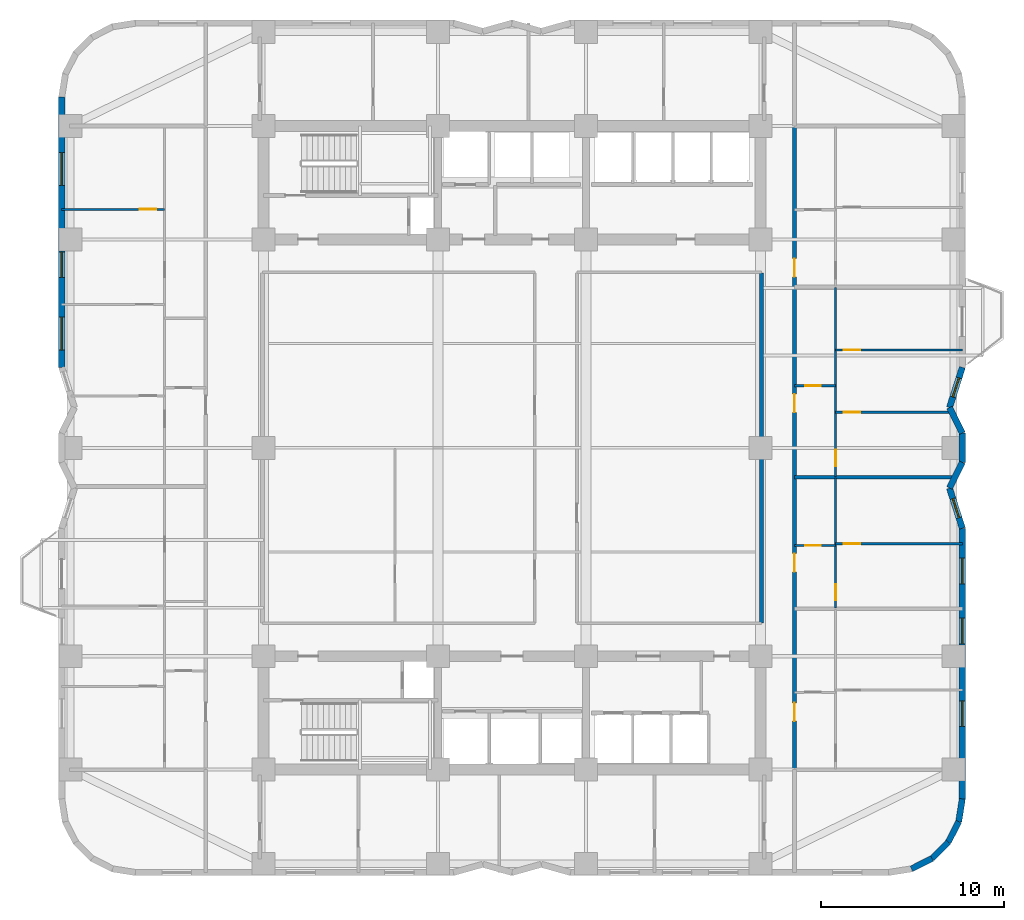
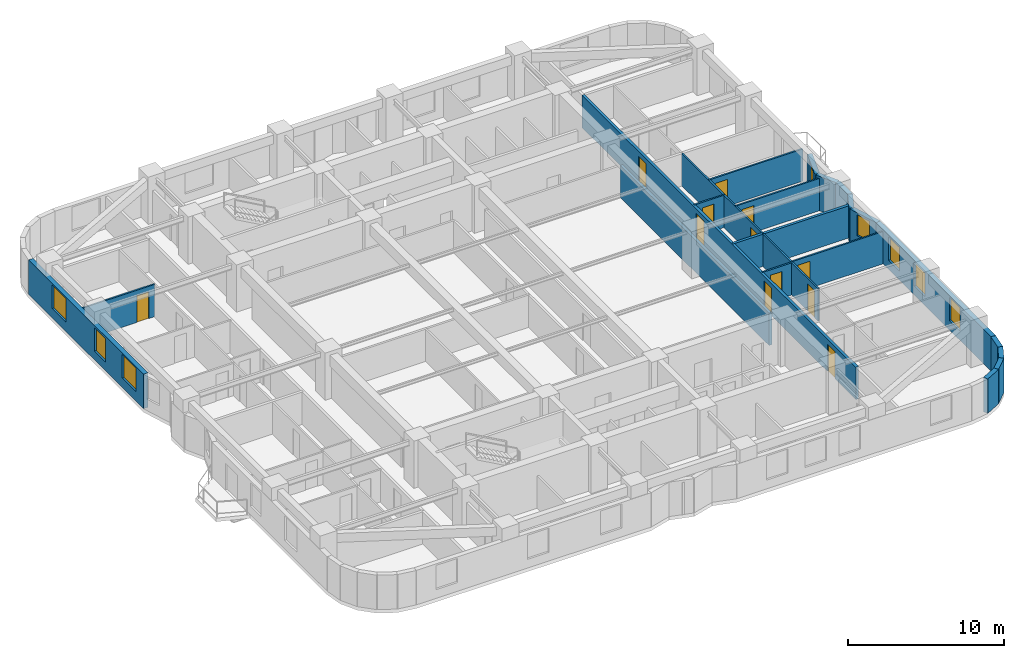
# One storey, part 5 of 9: 22 walls, 12 doors, 8 windows, 20 openings.
"""IFC4 building model written with IfcOpenShell, lengths in metres."""

from ifc_helpers import new_model, si_unit, direction, frame, frame_2d, origin, place, context, subcontext, project, spatial, rectangle, extrude, material, layer, layer_set, type_object, element, fill, save


model = new_model("IFC4")

# Units and contexts
model_context = context("Model", 3, precision=1e-05, world=origin(), true_north=direction((0.0, 1.0)))
body_context = subcontext(model_context, "Body", "Model", "MODEL_VIEW")
ifc_project = project(units=[si_unit("LENGTHUNIT", "METRE"), si_unit("AREAUNIT", "SQUARE_METRE"), si_unit("VOLUMEUNIT", "CUBIC_METRE"), si_unit("PLANEANGLEUNIT", "RADIAN"), si_unit("MASSUNIT", "GRAM", prefix="KILO")], contexts=[model_context])

# Site, building, storey
site_placement = place(None, origin())
site = spatial("IfcSite", under=ifc_project, at=site_placement, CompositionType="ELEMENT")
building_placement = place(site_placement, origin())
building = spatial("IfcBuilding", under=site, at=building_placement, Name="Svetorya Sky Lyceum", CompositionType="ELEMENT")
storey_placement = place(building_placement, frame((0.0, 0.0, 65.800048828125)))
storey = spatial("IfcBuildingStorey", under=building, at=storey_placement, Name="L16", CompositionType="ELEMENT", Elevation=65.800048828125)

# Walls
ifc_material_1 = material(Name="Putilovo limestone rainscreen on autoclaved cellular masonry", Category="masonry")
ifc_layer_1 = layer(ifc_material_1, 0.340087890625)
ifc_layer_set_1 = layer_set([ifc_layer_1], Name="Putilovo limestone rainscreen on autoclaved cellular masonry")
wall_type_1 = type_object("IfcWallType", Name="WL-EXT-340", PredefinedType="SOLIDWALL", material=ifc_layer_set_1)
for number, where, z_axis, x_axis, name in (
    (1, (61.04541015625, 5.167236328125, 0.0), (0.0, 0.0, 1.0), (0.890953769915, 0.454094020963, 0.0), "L16 Limestone Exterior Wall 13M"),
    (2, (62.168701171875, 5.73974609375, 0.0), (0.0, 0.0, 1.0), (0.707203598708, 0.707009950407, 0.0), "L16 Limestone Exterior Wall 14M"),
):
    element("IfcWall", number, at=place(storey_placement, frame(where, z_axis=z_axis, x_axis=x_axis)), inside=storey, type_object=wall_type_1, Name=name, PredefinedType="SOLIDWALL", context=body_context, shape_type="SweptSolid", body=[
        extrude(rectangle(XDim=1.2607421875, YDim=0.340087890625, at=frame_2d((0.63037109375, 0.0))), origin(), (0.0, 0.0, 1.0), 2.699951171875),
    ])
for number, where, z_axis, x_axis, name in (
    (3, (63.060302734375, 6.631103515625, 0.0), (0.0, 0.0, 1.0), (0.454015689056, 0.890993689142, 0.0), "L16 Limestone Exterior Wall 15M"),
    (4, (63.6328125, 7.754638671875, 0.0), (0.0, 0.0, 1.0), (0.15644975923, 0.987685918112, 0.0), "L16 Limestone Exterior Wall 16M"),
):
    element("IfcWall", number, at=place(storey_placement, frame(where, z_axis=z_axis, x_axis=x_axis)), inside=storey, type_object=wall_type_1, Name=name, PredefinedType="SOLIDWALL", context=body_context, shape_type="SweptSolid", body=[
        extrude(rectangle(XDim=1.260986328125, YDim=0.340087890625, at=frame_2d((0.63037109375, 0.0))), origin(), (0.0, 0.0, 1.0), 2.699951171875),
    ])

# Wall, openings, windows
wall_1_placement = place(storey_placement, frame((63.830078125, 9.0, 0.0), z_axis=(0.0, 0.0, 1.0), x_axis=(0.0, 1.0, 0.0)))
wall_1 = element("IfcWall", 5, at=wall_1_placement, inside=storey, type_object=wall_type_1, Name="L16 Limestone Exterior Wall 17M", PredefinedType="SOLIDWALL", context=body_context, shape_type="SweptSolid", body=[
    extrude(rectangle(XDim=14.800048828125, YDim=0.340087890625, at=frame_2d((7.39990234375, 0.0))), origin(), (0.0, 0.0, 1.0), 2.699951171875),
])
opening_1_placement = place(wall_1_placement, frame((3.96240234375, 0.0, 0.72998046875)))
opening_1 = element("IfcOpeningElement", 6, at=opening_1_placement, cuts=wall_1, Name="Opening W-R2", PredefinedType="OPENING", context=body_context, shape_type="SweptSolid", body=[
    extrude(rectangle(XDim=1.39990234375, YDim=1.85009765625, at=frame_2d((0.699951171875, 0.925048828125))), frame((0.0, 0.179931640625, 0.0), z_axis=(0.0, -1.0, 0.0), x_axis=(1.0, 0.0, 0.0)), (0.0, 0.0, 1.0), 0.360107421875),
])
opening_2_placement = place(wall_1_placement, frame((8.47998046875, 0.0, 0.68994140625)))
opening_2 = element("IfcOpeningElement", 7, at=opening_2_placement, cuts=wall_1, Name="Opening W-R2", PredefinedType="OPENING", context=body_context, shape_type="SweptSolid", body=[
    extrude(rectangle(XDim=1.39990234375, YDim=1.85009765625, at=frame_2d((0.699951171875, 0.925048828125))), frame((0.0, 0.179931640625, 0.0), z_axis=(0.0, -1.0, 0.0), x_axis=(1.0, 0.0, 0.0)), (0.0, 0.0, 1.0), 0.360107421875),
])
opening_3_placement = place(wall_1_placement, frame((11.762451171875, 0.0, 0.72998046875)))
opening_3 = element("IfcOpeningElement", 8, at=opening_3_placement, cuts=wall_1, Name="Opening W-R2", PredefinedType="OPENING", context=body_context, shape_type="SweptSolid", body=[
    extrude(rectangle(XDim=1.39990234375, YDim=1.85009765625, at=frame_2d((0.699951171875, 0.925048828125))), frame((0.0, 0.179931640625, 0.0), z_axis=(0.0, -1.0, 0.0), x_axis=(1.0, 0.0, 0.0)), (0.0, 0.0, 1.0), 0.360107421875),
])
ifc_material_2 = material(Name="Thermally broken aluminium frame with triple low-E glazing", Category="aluminium")
window_type_1 = type_object("IfcWindowType", Name="WN-RES-140", PartitioningType="SINGLE_PANEL", PredefinedType="WINDOW", material=ifc_material_2)
window_1_placement = place(opening_1_placement, origin())
window_1 = element("IfcWindow", 9, at=window_1_placement, inside=storey, type_object=window_type_1, Name="L16 Facade Window W-R2.17M.1", OverallHeight=1.85009765625, OverallWidth=1.39990234375, PartitioningType="SINGLE_PANEL", PredefinedType="WINDOW", context=body_context, shape_type="SweptSolid", body=[
    extrude(rectangle(XDim=1.39990234375, YDim=1.85009765625, at=frame_2d((0.699951171875, 0.925048828125))), frame((0.0, 0.030029296875, 0.0), z_axis=(0.0, -1.0, 0.0), x_axis=(1.0, 0.0, 0.0)), (0.0, 0.0, 1.0), 0.06005859375),
])
fill(opening_1, window_1)
window_2_placement = place(opening_2_placement, origin())
window_2 = element("IfcWindow", 10, at=window_2_placement, inside=storey, type_object=window_type_1, Name="L16 Facade Window W-R2.17M.3", OverallHeight=1.85009765625, OverallWidth=1.39990234375, PartitioningType="SINGLE_PANEL", PredefinedType="WINDOW", context=body_context, shape_type="SweptSolid", body=[
    extrude(rectangle(XDim=1.39990234375, YDim=1.85009765625, at=frame_2d((0.699951171875, 0.925048828125))), frame((0.0, 0.030029296875, 0.0), z_axis=(0.0, -1.0, 0.0), x_axis=(1.0, 0.0, 0.0)), (0.0, 0.0, 1.0), 0.06005859375),
])
fill(opening_2, window_2)
window_3_placement = place(opening_3_placement, origin())
window_3 = element("IfcWindow", 11, at=window_3_placement, inside=storey, type_object=window_type_1, Name="L16 Facade Window W-R2.17M.2", OverallHeight=1.85009765625, OverallWidth=1.39990234375, PartitioningType="SINGLE_PANEL", PredefinedType="WINDOW", context=body_context, shape_type="SweptSolid", body=[
    extrude(rectangle(XDim=1.39990234375, YDim=1.85009765625, at=frame_2d((0.699951171875, 0.925048828125))), frame((0.0, 0.030029296875, 0.0), z_axis=(0.0, -1.0, 0.0), x_axis=(1.0, 0.0, 0.0)), (0.0, 0.0, 1.0), 0.06005859375),
])
fill(opening_3, window_3)

# Wall, opening, window
wall_2_placement = place(storey_placement, frame((63.830078125, 23.800048828125, 0.0), z_axis=(0.0, 0.0, 1.0), x_axis=(-0.303286588318, 0.95289938889, 0.0)))
wall_2 = element("IfcWall", 12, at=wall_2_placement, inside=storey, type_object=wall_type_1, Name="L16 Limestone Exterior Wall 18M", PredefinedType="SOLIDWALL", context=body_context, shape_type="SweptSolid", body=[
    extrude(rectangle(XDim=2.30859375, YDim=0.340087890625, at=frame_2d((1.154296875, 0.0))), origin(), (0.0, 0.0, 1.0), 2.699951171875),
])
opening_4_placement = place(wall_2_placement, frame((0.604248046875, 0.0, 0.889892578125)))
opening_4 = element("IfcOpeningElement", 13, at=opening_4_placement, cuts=wall_2, Name="Opening W-R3", PredefinedType="OPENING", context=body_context, shape_type="SweptSolid", body=[
    extrude(rectangle(XDim=1.10009765625, YDim=1.64990234375, at=frame_2d((0.550048828125, 0.824951171875))), frame((0.0, 0.179931640625, 0.0), z_axis=(0.0, -1.0, 0.0), x_axis=(1.0, 0.0, 0.0)), (0.0, 0.0, 1.0), 0.360107421875),
])
window_type_2 = type_object("IfcWindowType", Name="WN-RES-110", PartitioningType="SINGLE_PANEL", PredefinedType="WINDOW", material=ifc_material_2)
window_4_placement = place(opening_4_placement, origin())
window_4 = element("IfcWindow", 14, at=window_4_placement, inside=storey, type_object=window_type_2, Name="L16 Facade Window W-R3.18M.1", OverallHeight=1.64990234375, OverallWidth=1.10009765625, PartitioningType="SINGLE_PANEL", PredefinedType="WINDOW", context=body_context, shape_type="SweptSolid", body=[
    extrude(rectangle(XDim=1.10009765625, YDim=1.64990234375, at=frame_2d((0.550048828125, 0.824951171875))), frame((0.0, 0.030029296875, 0.0), z_axis=(0.0, -1.0, 0.0), x_axis=(1.0, 0.0, 0.0)), (0.0, 0.0, 1.0), 0.06005859375),
])
fill(opening_4, window_4)

# Walls
wall_3_placement = place(storey_placement, frame((63.1298828125, 26.0, 0.0), z_axis=(0.0, 0.0, 1.0), x_axis=(0.447338371726, 0.894364792007, 0.0)))
element("IfcWall", 15, at=wall_3_placement, inside=storey, type_object=wall_type_1, Name="L16 Limestone Exterior Wall 19M", PredefinedType="SOLIDWALL", context=body_context, shape_type="SweptSolid", body=[
    extrude(rectangle(XDim=1.565185546875, YDim=0.340087890625, at=frame_2d((0.78271484375, 0.0))), origin(), (0.0, 0.0, 1.0), 2.699951171875),
])
wall_4_placement = place(storey_placement, frame((63.830078125, 27.39990234375, 0.0), z_axis=(0.0, 0.0, 1.0), x_axis=(0.0, 1.0, 0.0)))
element("IfcWall", 16, at=wall_4_placement, inside=storey, type_object=wall_type_1, Name="L16 Limestone Exterior Wall 20M", PredefinedType="SOLIDWALL", context=body_context, shape_type="SweptSolid", body=[
    extrude(rectangle(XDim=1.60009765625, YDim=0.340087890625, at=frame_2d((0.800048828125, 0.0))), origin(), (0.0, 0.0, 1.0), 2.699951171875),
])
wall_5_placement = place(storey_placement, frame((63.830078125, 29.0, 0.0), z_axis=(0.0, 0.0, 1.0), x_axis=(-0.447338371726, 0.894364792007, 0.0)))
element("IfcWall", 17, at=wall_5_placement, inside=storey, type_object=wall_type_1, Name="L16 Limestone Exterior Wall 21M", PredefinedType="SOLIDWALL", context=body_context, shape_type="SweptSolid", body=[
    extrude(rectangle(XDim=1.565185546875, YDim=0.340087890625, at=frame_2d((0.78271484375, 0.0))), origin(), (0.0, 0.0, 1.0), 2.699951171875),
])

# Wall, opening, window
wall_6_placement = place(storey_placement, frame((63.1298828125, 30.39990234375, 0.0), z_axis=(0.0, 0.0, 1.0), x_axis=(0.303256029766, 0.952909114454, 0.0)))
wall_6 = element("IfcWall", 18, at=wall_6_placement, inside=storey, type_object=wall_type_1, Name="L16 Limestone Exterior Wall 22M", PredefinedType="SOLIDWALL", context=body_context, shape_type="SweptSolid", body=[
    extrude(rectangle(XDim=2.308837890625, YDim=0.340087890625, at=frame_2d((1.154296875, 0.0))), origin(), (0.0, 0.0, 1.0), 2.699951171875),
])
opening_5_placement = place(wall_6_placement, frame((0.604248046875, 0.0, 0.889892578125)))
opening_5 = element("IfcOpeningElement", 19, at=opening_5_placement, cuts=wall_6, Name="Opening W-R3", PredefinedType="OPENING", context=body_context, shape_type="SweptSolid", body=[
    extrude(rectangle(XDim=1.10009765625, YDim=1.64990234375, at=frame_2d((0.550048828125, 0.824951171875))), frame((0.0, 0.179931640625, 0.0), z_axis=(0.0, -1.0, 0.0), x_axis=(1.0, 0.0, 0.0)), (0.0, 0.0, 1.0), 0.360107421875),
])
window_5_placement = place(opening_5_placement, origin())
window_5 = element("IfcWindow", 20, at=window_5_placement, inside=storey, type_object=window_type_2, Name="L16 Facade Window W-R3.22M.1", OverallHeight=1.64990234375, OverallWidth=1.10009765625, PartitioningType="SINGLE_PANEL", PredefinedType="WINDOW", context=body_context, shape_type="SweptSolid", body=[
    extrude(rectangle(XDim=1.10009765625, YDim=1.64990234375, at=frame_2d((0.550048828125, 0.824951171875))), frame((0.0, 0.030029296875, 0.0), z_axis=(0.0, -1.0, 0.0), x_axis=(1.0, 0.0, 0.0)), (0.0, 0.0, 1.0), 0.06005859375),
])
fill(opening_5, window_5)

# Wall, openings, windows
wall_7_placement = place(storey_placement, frame((14.570068359375, 47.39990234375, 0.0), z_axis=(0.0, 0.0, 1.0), x_axis=(0.0, -1.0, 0.0)))
wall_7 = element("IfcWall", 21, at=wall_7_placement, inside=storey, type_object=wall_type_1, Name="L16 Limestone Exterior Wall 40M", PredefinedType="SOLIDWALL", context=body_context, shape_type="SweptSolid", body=[
    extrude(rectangle(XDim=14.7998046875, YDim=0.340087890625, at=frame_2d((7.39990234375, 0.0))), origin(), (0.0, 0.0, 1.0), 2.699951171875),
])
opening_6_placement = place(wall_7_placement, frame((3.050048828125, 0.0, 0.72998046875)))
opening_6 = element("IfcOpeningElement", 22, at=opening_6_placement, cuts=wall_7, Name="Opening W-R1", PredefinedType="OPENING", context=body_context, shape_type="SweptSolid", body=[
    extrude(rectangle(XDim=1.800048828125, YDim=1.85009765625, at=frame_2d((0.89990234375, 0.925048828125))), frame((0.0, 0.179931640625, 0.0), z_axis=(0.0, -1.0, 0.0), x_axis=(1.0, 0.0, 0.0)), (0.0, 0.0, 1.0), 0.360107421875),
])
opening_7_placement = place(wall_7_placement, frame((8.47998046875, 0.0, 0.68994140625)))
opening_7 = element("IfcOpeningElement", 23, at=opening_7_placement, cuts=wall_7, Name="Opening W-R2", PredefinedType="OPENING", context=body_context, shape_type="SweptSolid", body=[
    extrude(rectangle(XDim=1.39990234375, YDim=1.85009765625, at=frame_2d((0.699951171875, 0.925048828125))), frame((0.0, 0.179931640625, 0.0), z_axis=(0.0, -1.0, 0.0), x_axis=(1.0, 0.0, 0.0)), (0.0, 0.0, 1.0), 0.360107421875),
])
opening_8_placement = place(wall_7_placement, frame((12.050048828125, 0.0, 0.72998046875)))
opening_8 = element("IfcOpeningElement", 24, at=opening_8_placement, cuts=wall_7, Name="Opening W-R1", PredefinedType="OPENING", context=body_context, shape_type="SweptSolid", body=[
    extrude(rectangle(XDim=1.800048828125, YDim=1.85009765625, at=frame_2d((0.89990234375, 0.925048828125))), frame((0.0, 0.179931640625, 0.0), z_axis=(0.0, -1.0, 0.0), x_axis=(1.0, 0.0, 0.0)), (0.0, 0.0, 1.0), 0.360107421875),
])
window_6_placement = place(opening_7_placement, origin())
window_6 = element("IfcWindow", 25, at=window_6_placement, inside=storey, type_object=window_type_1, Name="L16 Facade Window W-R2.40M.3", OverallHeight=1.85009765625, OverallWidth=1.39990234375, PartitioningType="SINGLE_PANEL", PredefinedType="WINDOW", context=body_context, shape_type="SweptSolid", body=[
    extrude(rectangle(XDim=1.39990234375, YDim=1.85009765625, at=frame_2d((0.699951171875, 0.925048828125))), frame((0.0, 0.030029296875, 0.0), z_axis=(0.0, -1.0, 0.0), x_axis=(1.0, 0.0, 0.0)), (0.0, 0.0, 1.0), 0.06005859375),
])
fill(opening_7, window_6)
window_type_3 = type_object("IfcWindowType", Name="WN-RES-180", PartitioningType="DOUBLE_PANEL_VERTICAL", PredefinedType="WINDOW", material=ifc_material_2)
window_7_placement = place(opening_6_placement, origin())
window_7 = element("IfcWindow", 26, at=window_7_placement, inside=storey, type_object=window_type_3, Name="L16 Facade Window W-R1.40M.1", OverallHeight=1.85009765625, OverallWidth=1.800048828125, PartitioningType="SINGLE_PANEL", PredefinedType="WINDOW", context=body_context, shape_type="SweptSolid", body=[
    extrude(rectangle(XDim=1.800048828125, YDim=1.85009765625, at=frame_2d((0.89990234375, 0.925048828125))), frame((0.0, 0.030029296875, 0.0), z_axis=(0.0, -1.0, 0.0), x_axis=(1.0, 0.0, 0.0)), (0.0, 0.0, 1.0), 0.06005859375),
])
fill(opening_6, window_7)
window_8_placement = place(opening_8_placement, origin())
window_8 = element("IfcWindow", 27, at=window_8_placement, inside=storey, type_object=window_type_3, Name="L16 Facade Window W-R1.40M.2", OverallHeight=1.85009765625, OverallWidth=1.800048828125, PartitioningType="SINGLE_PANEL", PredefinedType="WINDOW", context=body_context, shape_type="SweptSolid", body=[
    extrude(rectangle(XDim=1.800048828125, YDim=1.85009765625, at=frame_2d((0.89990234375, 0.925048828125))), frame((0.0, 0.030029296875, 0.0), z_axis=(0.0, -1.0, 0.0), x_axis=(1.0, 0.0, 0.0)), (0.0, 0.0, 1.0), 0.06005859375),
])
fill(opening_8, window_8)

# Wall, opening, door
ifc_material_3 = material(Name="Twin-stud galvanized framing with double fireboard", Category="gypsum")
ifc_layer_2 = layer(ifc_material_3, 0.1201171875)
ifc_layer_set_2 = layer_set([ifc_layer_2], Name="Twin-stud galvanized framing with double fireboard")
wall_type_2 = type_object("IfcWallType", Name="WL-PART-120", PredefinedType="PARTITIONING", material=ifc_layer_set_2)
wall_8_placement = place(storey_placement, frame((14.570068359375, 41.238037109375, 0.0), z_axis=(0.0, 0.0, 1.0), x_axis=(1.0, 0.0, 0.0)))
wall_8 = element("IfcWall", 28, at=wall_8_placement, inside=storey, type_object=wall_type_2, Name="L16 Interior Partition W2-WL3", PredefinedType="PARTITIONING", context=body_context, shape_type="SweptSolid", body=[
    extrude(rectangle(XDim=5.6298828125, YDim=0.1201171875, at=frame_2d((2.81494140625, 0.0))), origin(), (0.0, 0.0, 1.0), 2.530029296875),
])
opening_9_placement = place(wall_8_placement, frame((4.280029296875, 0.0, 0.0)))
opening_9 = element("IfcOpeningElement", 29, at=opening_9_placement, cuts=wall_8, Name="Opening D-RM1", PredefinedType="OPENING", context=body_context, shape_type="SweptSolid", body=[
    extrude(rectangle(XDim=0.89990234375, YDim=2.10009765625, at=frame_2d((0.449951171875, 1.050048828125))), frame((0.0, 0.070068359375, 0.0), z_axis=(0.0, -1.0, 0.0), x_axis=(1.0, 0.0, 0.0)), (0.0, 0.0, 1.0), 0.14013671875),
])
ifc_material_4 = material(Name="Lacquered birch veneer internal door")
door_type_1 = type_object("IfcDoorType", Name="DR-INT-900", OperationType="SINGLE_SWING_LEFT", PredefinedType="DOOR", material=ifc_material_4)
door_1_placement = place(opening_9_placement, origin())
door_1 = element("IfcDoor", 30, at=door_1_placement, inside=storey, type_object=door_type_1, Name="Apartment W2 Bedroom 3 Door", OperationType="SINGLE_SWING_RIGHT", OverallHeight=2.10009765625, OverallWidth=0.89990234375, PredefinedType="DOOR", context=body_context, shape_type="SweptSolid", body=[
    extrude(rectangle(XDim=0.89990234375, YDim=2.10009765625, at=frame_2d((0.449951171875, 1.050048828125))), frame((0.0, 0.02490234375, 0.0), z_axis=(0.0, -1.0, 0.0), x_axis=(1.0, 0.0, 0.0)), (0.0, 0.0, 1.0), 0.050048828125),
])
fill(opening_9, door_1)

wall_9_placement = place(storey_placement, frame((54.64990234375, 22.860107421875, 0.0), z_axis=(0.0, 0.0, 1.0), x_axis=(1.0, 0.0, 0.0)))
wall_9 = element("IfcWall", 31, at=wall_9_placement, inside=storey, type_object=wall_type_2, Name="L16 Interior Partition E2-WH1", PredefinedType="PARTITIONING", context=body_context, shape_type="SweptSolid", body=[
    extrude(rectangle(XDim=2.25, YDim=0.1201171875, at=frame_2d((1.125, 0.0))), origin(), (0.0, 0.0, 1.0), 2.530029296875),
])
opening_10_placement = place(wall_9_placement, frame((0.60009765625, 0.0, 0.0)))
opening_10 = element("IfcOpeningElement", 32, at=opening_10_placement, cuts=wall_9, Name="Opening D-BT1", PredefinedType="OPENING", context=body_context, shape_type="SweptSolid", body=[
    extrude(rectangle(XDim=0.85009765625, YDim=2.10009765625, at=frame_2d((0.425048828125, 1.050048828125))), frame((0.0, 0.070068359375, 0.0), z_axis=(0.0, -1.0, 0.0), x_axis=(1.0, 0.0, 0.0)), (0.0, 0.0, 1.0), 0.14013671875),
])
ifc_material_5 = material(Name="Moisture-resistant laminate bathroom door")
door_type_2 = type_object("IfcDoorType", Name="DR-WET-850", OperationType="SINGLE_SWING_LEFT", PredefinedType="DOOR", material=ifc_material_5)
door_2_placement = place(opening_10_placement, origin())
door_2 = element("IfcDoor", 33, at=door_2_placement, inside=storey, type_object=door_type_2, Name="Apartment E2 Bathroom Door", OperationType="SINGLE_SWING_LEFT", OverallHeight=2.10009765625, OverallWidth=0.85009765625, PredefinedType="DOOR", context=body_context, shape_type="SweptSolid", body=[
    extrude(rectangle(XDim=0.85009765625, YDim=2.10009765625, at=frame_2d((0.425048828125, 1.050048828125))), frame((0.0, 0.02490234375, 0.0), z_axis=(0.0, -1.0, 0.0), x_axis=(1.0, 0.0, 0.0)), (0.0, 0.0, 1.0), 0.050048828125),
])
fill(opening_10, door_2)

wall_10_placement = place(storey_placement, frame((56.89990234375, 22.949951171875, 0.0), z_axis=(0.0, 0.0, 1.0), x_axis=(1.0, 0.0, 0.0)))
wall_10 = element("IfcWall", 34, at=wall_10_placement, inside=storey, type_object=wall_type_2, Name="L16 Interior Partition E2-WL1", PredefinedType="PARTITIONING", context=body_context, shape_type="SweptSolid", body=[
    extrude(rectangle(XDim=6.93017578125, YDim=0.1201171875, at=frame_2d((3.465087890625, 0.0))), origin(), (0.0, 0.0, 1.0), 2.530029296875),
])
opening_11_placement = place(wall_10_placement, frame((0.449951171875, 0.0, 0.0)))
opening_11 = element("IfcOpeningElement", 35, at=opening_11_placement, cuts=wall_10, Name="Opening D-RM1", PredefinedType="OPENING", context=body_context, shape_type="SweptSolid", body=[
    extrude(rectangle(XDim=0.89990234375, YDim=2.10009765625, at=frame_2d((0.449951171875, 1.050048828125))), frame((0.0, 0.070068359375, 0.0), z_axis=(0.0, -1.0, 0.0), x_axis=(1.0, 0.0, 0.0)), (0.0, 0.0, 1.0), 0.14013671875),
])
door_3_placement = place(opening_11_placement, origin())
door_3 = element("IfcDoor", 36, at=door_3_placement, inside=storey, type_object=door_type_1, Name="Apartment E2 Bedroom 1 Door", OperationType="SINGLE_SWING_LEFT", OverallHeight=2.10009765625, OverallWidth=0.89990234375, PredefinedType="DOOR", context=body_context, shape_type="SweptSolid", body=[
    extrude(rectangle(XDim=0.89990234375, YDim=2.10009765625, at=frame_2d((0.449951171875, 1.050048828125))), frame((0.0, 0.02490234375, 0.0), z_axis=(0.0, -1.0, 0.0), x_axis=(1.0, 0.0, 0.0)), (0.0, 0.0, 1.0), 0.050048828125),
])
fill(opening_11, door_3)

wall_11_placement = place(storey_placement, frame((56.89990234375, 19.43994140625, 0.0), z_axis=(0.0, 0.0, 1.0), x_axis=(0.0, 1.0, 0.0)))
wall_11 = element("IfcWall", 37, at=wall_11_placement, inside=storey, type_object=wall_type_2, Name="L16 Interior Partition E2-WV", PredefinedType="PARTITIONING", context=body_context, shape_type="SweptSolid", body=[
    extrude(rectangle(XDim=7.1201171875, YDim=0.1201171875, at=frame_2d((3.56005859375, 0.0))), origin(), (0.0, 0.0, 1.0), 2.530029296875),
])
opening_12_placement = place(wall_11_placement, frame((0.409912109375, 0.0, 0.0)))
opening_12 = element("IfcOpeningElement", 38, at=opening_12_placement, cuts=wall_11, Name="Opening D-RM1", PredefinedType="OPENING", context=body_context, shape_type="SweptSolid", body=[
    extrude(rectangle(XDim=0.89990234375, YDim=2.10009765625, at=frame_2d((0.449951171875, 1.050048828125))), frame((0.0, 0.070068359375, 0.0), z_axis=(0.0, -1.0, 0.0), x_axis=(1.0, 0.0, 0.0)), (0.0, 0.0, 1.0), 0.14013671875),
])
door_4_placement = place(opening_12_placement, origin())
door_4 = element("IfcDoor", 39, at=door_4_placement, inside=storey, type_object=door_type_1, Name="Apartment E2 Living Door", OperationType="SINGLE_SWING_RIGHT", OverallHeight=2.10009765625, OverallWidth=0.89990234375, PredefinedType="DOOR", context=body_context, shape_type="SweptSolid", body=[
    extrude(rectangle(XDim=0.89990234375, YDim=2.10009765625, at=frame_2d((0.449951171875, 1.050048828125))), frame((0.0, 0.02490234375, 0.0), z_axis=(0.0, -1.0, 0.0), x_axis=(1.0, 0.0, 0.0)), (0.0, 0.0, 1.0), 0.050048828125),
])
fill(opening_12, door_4)

wall_12_placement = place(storey_placement, frame((54.64990234375, 31.590087890625, 0.0), z_axis=(0.0, 0.0, 1.0), x_axis=(1.0, 0.0, 0.0)))
wall_12 = element("IfcWall", 40, at=wall_12_placement, inside=storey, type_object=wall_type_2, Name="L16 Interior Partition E3-WH1", PredefinedType="PARTITIONING", context=body_context, shape_type="SweptSolid", body=[
    extrude(rectangle(XDim=2.25, YDim=0.1201171875, at=frame_2d((1.125, 0.0))), origin(), (0.0, 0.0, 1.0), 2.530029296875),
])
opening_13_placement = place(wall_12_placement, frame((0.60009765625, 0.0, 0.0)))
opening_13 = element("IfcOpeningElement", 41, at=opening_13_placement, cuts=wall_12, Name="Opening D-BT1", PredefinedType="OPENING", context=body_context, shape_type="SweptSolid", body=[
    extrude(rectangle(XDim=0.85009765625, YDim=2.10009765625, at=frame_2d((0.425048828125, 1.050048828125))), frame((0.0, 0.070068359375, 0.0), z_axis=(0.0, -1.0, 0.0), x_axis=(1.0, 0.0, 0.0)), (0.0, 0.0, 1.0), 0.14013671875),
])
door_5_placement = place(opening_13_placement, origin())
door_5 = element("IfcDoor", 42, at=door_5_placement, inside=storey, type_object=door_type_2, Name="Apartment E3 Bathroom Door", OperationType="SINGLE_SWING_RIGHT", OverallHeight=2.10009765625, OverallWidth=0.85009765625, PredefinedType="DOOR", context=body_context, shape_type="SweptSolid", body=[
    extrude(rectangle(XDim=0.85009765625, YDim=2.10009765625, at=frame_2d((0.425048828125, 1.050048828125))), frame((0.0, 0.02490234375, 0.0), z_axis=(0.0, -1.0, 0.0), x_axis=(1.0, 0.0, 0.0)), (0.0, 0.0, 1.0), 0.050048828125),
])
fill(opening_13, door_5)

wall_13_placement = place(storey_placement, frame((56.89990234375, 30.14990234375, 0.0), z_axis=(0.0, 0.0, 1.0), x_axis=(1.0, 0.0, 0.0)))
wall_13 = element("IfcWall", 43, at=wall_13_placement, inside=storey, type_object=wall_type_2, Name="L16 Interior Partition E3-WL1", PredefinedType="PARTITIONING", context=body_context, shape_type="SweptSolid", body=[
    extrude(rectangle(XDim=6.35498046875, YDim=0.1201171875, at=frame_2d((3.177490234375, 0.0))), origin(), (0.0, 0.0, 1.0), 2.530029296875),
])
opening_14_placement = place(wall_13_placement, frame((0.449951171875, 0.0, 0.0)))
opening_14 = element("IfcOpeningElement", 44, at=opening_14_placement, cuts=wall_13, Name="Opening D-RM1", PredefinedType="OPENING", context=body_context, shape_type="SweptSolid", body=[
    extrude(rectangle(XDim=0.89990234375, YDim=2.10009765625, at=frame_2d((0.449951171875, 1.050048828125))), frame((0.0, 0.070068359375, 0.0), z_axis=(0.0, -1.0, 0.0), x_axis=(1.0, 0.0, 0.0)), (0.0, 0.0, 1.0), 0.14013671875),
])
door_6_placement = place(opening_14_placement, origin())
door_6 = element("IfcDoor", 45, at=door_6_placement, inside=storey, type_object=door_type_1, Name="Apartment E3 Master Bedroom Door", OperationType="SINGLE_SWING_RIGHT", OverallHeight=2.10009765625, OverallWidth=0.89990234375, PredefinedType="DOOR", context=body_context, shape_type="SweptSolid", body=[
    extrude(rectangle(XDim=0.89990234375, YDim=2.10009765625, at=frame_2d((0.449951171875, 1.050048828125))), frame((0.0, 0.02490234375, 0.0), z_axis=(0.0, -1.0, 0.0), x_axis=(1.0, 0.0, 0.0)), (0.0, 0.0, 1.0), 0.050048828125),
])
fill(opening_14, door_6)

wall_14_placement = place(storey_placement, frame((56.89990234375, 33.550048828125, 0.0), z_axis=(0.0, 0.0, 1.0), x_axis=(1.0, 0.0, 0.0)))
wall_14 = element("IfcWall", 46, at=wall_14_placement, inside=storey, type_object=wall_type_2, Name="L16 Interior Partition E3-WL2", PredefinedType="PARTITIONING", context=body_context, shape_type="SweptSolid", body=[
    extrude(rectangle(XDim=6.93017578125, YDim=0.1201171875, at=frame_2d((3.465087890625, 0.0))), origin(), (0.0, 0.0, 1.0), 2.530029296875),
])
opening_15_placement = place(wall_14_placement, frame((0.449951171875, 0.0, 0.0)))
opening_15 = element("IfcOpeningElement", 47, at=opening_15_placement, cuts=wall_14, Name="Opening D-RM1", PredefinedType="OPENING", context=body_context, shape_type="SweptSolid", body=[
    extrude(rectangle(XDim=0.89990234375, YDim=2.10009765625, at=frame_2d((0.449951171875, 1.050048828125))), frame((0.0, 0.070068359375, 0.0), z_axis=(0.0, -1.0, 0.0), x_axis=(1.0, 0.0, 0.0)), (0.0, 0.0, 1.0), 0.14013671875),
])
door_7_placement = place(opening_15_placement, origin())
door_7 = element("IfcDoor", 48, at=door_7_placement, inside=storey, type_object=door_type_1, Name="Apartment E3 Bedroom 2 Door", OperationType="SINGLE_SWING_LEFT", OverallHeight=2.10009765625, OverallWidth=0.89990234375, PredefinedType="DOOR", context=body_context, shape_type="SweptSolid", body=[
    extrude(rectangle(XDim=0.89990234375, YDim=2.10009765625, at=frame_2d((0.449951171875, 1.050048828125))), frame((0.0, 0.02490234375, 0.0), z_axis=(0.0, -1.0, 0.0), x_axis=(1.0, 0.0, 0.0)), (0.0, 0.0, 1.0), 0.050048828125),
])
fill(opening_15, door_7)

wall_15_placement = place(storey_placement, frame((56.89990234375, 26.639892578125, 0.0), z_axis=(0.0, 0.0, 1.0), x_axis=(0.0, 1.0, 0.0)))
wall_15 = element("IfcWall", 49, at=wall_15_placement, inside=storey, type_object=wall_type_2, Name="L16 Interior Partition E3-WV", PredefinedType="PARTITIONING", context=body_context, shape_type="SweptSolid", body=[
    extrude(rectangle(XDim=10.320068359375, YDim=0.1201171875, at=frame_2d((5.16015625, 0.0))), origin(), (0.0, 0.0, 1.0), 2.530029296875),
])
opening_16_placement = place(wall_15_placement, frame((0.56005859375, 0.0, 0.0)))
opening_16 = element("IfcOpeningElement", 50, at=opening_16_placement, cuts=wall_15, Name="Opening D-RM1", PredefinedType="OPENING", context=body_context, shape_type="SweptSolid", body=[
    extrude(rectangle(XDim=0.89990234375, YDim=2.10009765625, at=frame_2d((0.449951171875, 1.050048828125))), frame((0.0, 0.070068359375, 0.0), z_axis=(0.0, -1.0, 0.0), x_axis=(1.0, 0.0, 0.0)), (0.0, 0.0, 1.0), 0.14013671875),
])
door_8_placement = place(opening_16_placement, origin())
door_8 = element("IfcDoor", 51, at=door_8_placement, inside=storey, type_object=door_type_1, Name="Apartment E3 Living Door", OperationType="SINGLE_SWING_LEFT", OverallHeight=2.10009765625, OverallWidth=0.89990234375, PredefinedType="DOOR", context=body_context, shape_type="SweptSolid", body=[
    extrude(rectangle(XDim=0.89990234375, YDim=2.10009765625, at=frame_2d((0.449951171875, 1.050048828125))), frame((0.0, 0.02490234375, 0.0), z_axis=(0.0, -1.0, 0.0), x_axis=(1.0, 0.0, 0.0)), (0.0, 0.0, 1.0), 0.050048828125),
])
fill(opening_16, door_8)

# Walls
ifc_material_6 = material(Name="Autoclaved cellular masonry blockwork with gypsum plaster", Category="masonry")
ifc_layer_3 = layer(ifc_material_6, 0.199951171875)
ifc_layer_set_3 = layer_set([ifc_layer_3], Name="Autoclaved cellular masonry blockwork with gypsum plaster")
wall_type_3 = type_object("IfcWallType", Name="WL-PART-200", PredefinedType="PARTITIONING", material=ifc_layer_set_3)
wall_16_placement = place(storey_placement, frame((52.85009765625, 18.6298828125, 0.0), z_axis=(0.0, 0.0, 1.0), x_axis=(0.0, 1.0, 0.0)))
element("IfcWall", 52, at=wall_16_placement, inside=storey, type_object=wall_type_3, Name="L16 Interior Partition E-CEN-SEP", PredefinedType="PARTITIONING", context=body_context, shape_type="SweptSolid", body=[
    extrude(rectangle(XDim=19.14013671875, YDim=0.199951171875, at=frame_2d((9.570068359375, 0.0))), origin(), (0.0, 0.0, 1.0), 2.530029296875),
])
wall_17_placement = place(storey_placement, frame((54.64990234375, 26.60009765625, 0.0), z_axis=(0.0, 0.0, 1.0), x_axis=(1.0, 0.0, 0.0)))
element("IfcWall", 53, at=wall_17_placement, inside=storey, type_object=wall_type_3, Name="L16 Interior Partition E-PARTY-2", PredefinedType="PARTITIONING", context=body_context, shape_type="SweptSolid", body=[
    extrude(rectangle(XDim=8.780029296875, YDim=0.199951171875, at=frame_2d((4.39013671875, 0.0))), origin(), (0.0, 0.0, 1.0), 2.530029296875),
])

# Wall, openings, doors
wall_18_placement = place(storey_placement, frame((54.64990234375, 10.60009765625, 0.0), z_axis=(0.0, 0.0, 1.0), x_axis=(0.0, 1.0, 0.0)))
wall_18 = element("IfcWall", 54, at=wall_18_placement, inside=storey, type_object=wall_type_3, Name="L16 Interior Partition E-CORRW", PredefinedType="PARTITIONING", context=body_context, shape_type="SweptSolid", body=[
    extrude(rectangle(XDim=35.199951171875, YDim=0.199951171875, at=frame_2d((17.60009765625, 0.0))), origin(), (0.0, 0.0, 1.0), 2.530029296875),
])
opening_17_placement = place(wall_18_placement, frame((2.64990234375, 0.0, 0.0)))
opening_17 = element("IfcOpeningElement", 55, at=opening_17_placement, cuts=wall_18, Name="Opening D-APT1", PredefinedType="OPENING", context=body_context, shape_type="SweptSolid", body=[
    extrude(rectangle(XDim=1.0, YDim=2.14990234375, at=frame_2d((0.5, 1.074951171875))), frame((0.0, 0.10986328125, 0.0), z_axis=(0.0, -1.0, 0.0), x_axis=(1.0, 0.0, 0.0)), (0.0, 0.0, 1.0), 0.219970703125),
])
opening_18_placement = place(wall_18_placement, frame((10.81005859375, 0.0, 0.0)))
opening_18 = element("IfcOpeningElement", 56, at=opening_18_placement, cuts=wall_18, Name="Opening D-APT1", PredefinedType="OPENING", context=body_context, shape_type="SweptSolid", body=[
    extrude(rectangle(XDim=1.0, YDim=2.14990234375, at=frame_2d((0.5, 1.074951171875))), frame((0.0, 0.10986328125, 0.0), z_axis=(0.0, -1.0, 0.0), x_axis=(1.0, 0.0, 0.0)), (0.0, 0.0, 1.0), 0.219970703125),
])
opening_19_placement = place(wall_18_placement, frame((19.5400390625, 0.0, 0.0)))
opening_19 = element("IfcOpeningElement", 57, at=opening_19_placement, cuts=wall_18, Name="Opening D-APT1", PredefinedType="OPENING", context=body_context, shape_type="SweptSolid", body=[
    extrude(rectangle(XDim=1.0, YDim=2.14990234375, at=frame_2d((0.5, 1.074951171875))), frame((0.0, 0.10986328125, 0.0), z_axis=(0.0, -1.0, 0.0), x_axis=(1.0, 0.0, 0.0)), (0.0, 0.0, 1.0), 0.219970703125),
])
opening_20_placement = place(wall_18_placement, frame((26.949951171875, 0.0, 0.0)))
opening_20 = element("IfcOpeningElement", 58, at=opening_20_placement, cuts=wall_18, Name="Opening D-APT1", PredefinedType="OPENING", context=body_context, shape_type="SweptSolid", body=[
    extrude(rectangle(XDim=1.0, YDim=2.14990234375, at=frame_2d((0.5, 1.074951171875))), frame((0.0, 0.10986328125, 0.0), z_axis=(0.0, -1.0, 0.0), x_axis=(1.0, 0.0, 0.0)), (0.0, 0.0, 1.0), 0.219970703125),
])
ifc_material_7 = material(Name="Insulated oak-veneered apartment entrance door")
door_type_3 = type_object("IfcDoorType", Name="DR-APT-1000", OperationType="SINGLE_SWING_LEFT", PredefinedType="DOOR", material=ifc_material_7)
door_9_placement = place(opening_17_placement, origin())
door_9 = element("IfcDoor", 59, at=door_9_placement, inside=storey, type_object=door_type_3, Name="L16 Apartment E1 Entrance Door", OperationType="SINGLE_SWING_RIGHT", OverallHeight=2.14990234375, OverallWidth=1.0, PredefinedType="DOOR", context=body_context, shape_type="SweptSolid", body=[
    extrude(rectangle(XDim=1.0, YDim=2.14990234375, at=frame_2d((0.5, 1.074951171875))), frame((0.0, 0.02490234375, 0.0), z_axis=(0.0, -1.0, 0.0), x_axis=(1.0, 0.0, 0.0)), (0.0, 0.0, 1.0), 0.050048828125),
])
fill(opening_17, door_9)
door_10_placement = place(opening_18_placement, origin())
door_10 = element("IfcDoor", 60, at=door_10_placement, inside=storey, type_object=door_type_3, Name="L16 Apartment E2 Entrance Door", OperationType="SINGLE_SWING_LEFT", OverallHeight=2.14990234375, OverallWidth=1.0, PredefinedType="DOOR", context=body_context, shape_type="SweptSolid", body=[
    extrude(rectangle(XDim=1.0, YDim=2.14990234375, at=frame_2d((0.5, 1.074951171875))), frame((0.0, 0.02490234375, 0.0), z_axis=(0.0, -1.0, 0.0), x_axis=(1.0, 0.0, 0.0)), (0.0, 0.0, 1.0), 0.050048828125),
])
fill(opening_18, door_10)
door_11_placement = place(opening_19_placement, origin())
door_11 = element("IfcDoor", 61, at=door_11_placement, inside=storey, type_object=door_type_3, Name="L16 Apartment E3 Entrance Door", OperationType="SINGLE_SWING_RIGHT", OverallHeight=2.14990234375, OverallWidth=1.0, PredefinedType="DOOR", context=body_context, shape_type="SweptSolid", body=[
    extrude(rectangle(XDim=1.0, YDim=2.14990234375, at=frame_2d((0.5, 1.074951171875))), frame((0.0, 0.02490234375, 0.0), z_axis=(0.0, -1.0, 0.0), x_axis=(1.0, 0.0, 0.0)), (0.0, 0.0, 1.0), 0.050048828125),
])
fill(opening_19, door_11)
door_12_placement = place(opening_20_placement, origin())
door_12 = element("IfcDoor", 62, at=door_12_placement, inside=storey, type_object=door_type_3, Name="L16 Apartment E4 Entrance Door", OperationType="SINGLE_SWING_LEFT", OverallHeight=2.14990234375, OverallWidth=1.0, PredefinedType="DOOR", context=body_context, shape_type="SweptSolid", body=[
    extrude(rectangle(XDim=1.0, YDim=2.14990234375, at=frame_2d((0.5, 1.074951171875))), frame((0.0, 0.02490234375, 0.0), z_axis=(0.0, -1.0, 0.0), x_axis=(1.0, 0.0, 0.0)), (0.0, 0.0, 1.0), 0.050048828125),
])
fill(opening_20, door_12)

save(model, "model.ifc")
